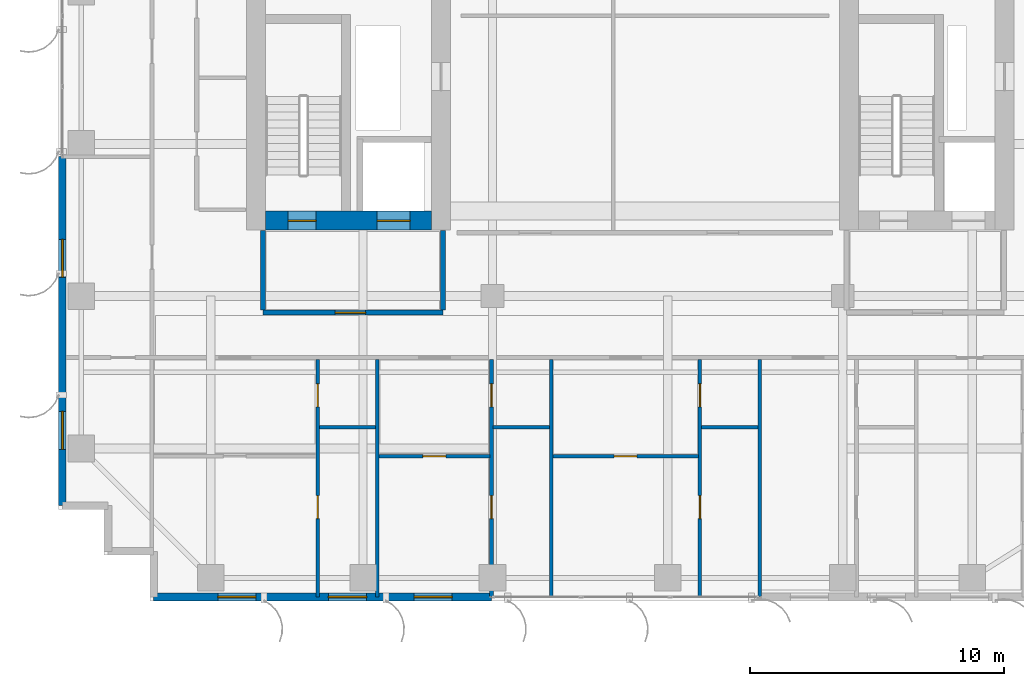
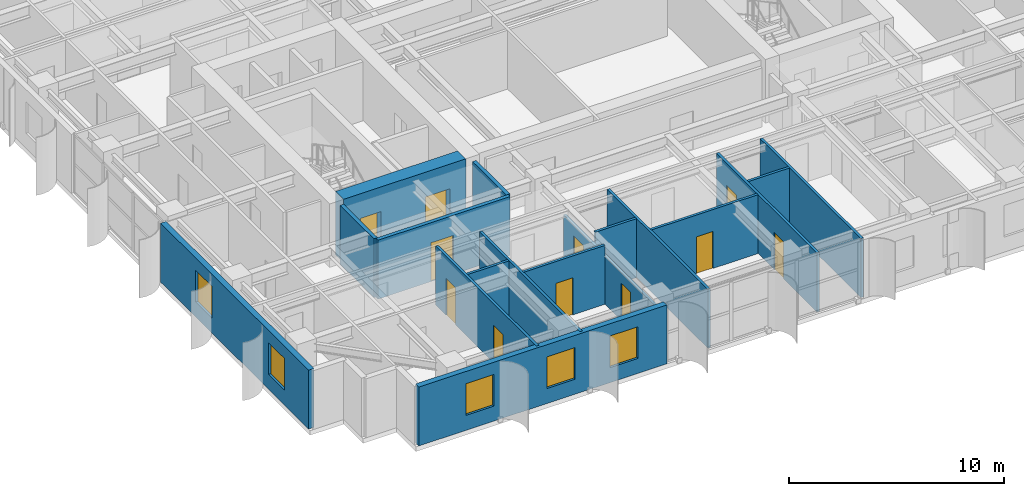
# One storey, part 13 of 22: 17 walls, 11 doors, 5 windows, 16 openings.
"""IFC4 building model written with IfcOpenShell, lengths in metres."""

import ifcopenshell
import ifcopenshell.guid

model = None  # the IFC model being written
_history = None  # IfcOwnerHistory: only IFC2X3 demands one
_inside = {}  # id of a spatial element -> (the spatial element, [elements in it])
_under = {}  # id of a project, library or spatial element -> (it, [spatial elements below it])
_declared = {}  # id of a project -> (the project, [libraries it declares])
_typed = {}  # id of a type object -> (the type object, [elements of that type])
_made_of = {}  # id of a material, layer set ... -> (it, [elements and type objects made of it])


def new_model(schema):
    """Start an empty IFC model of exactly this schema.

    Asked for "IFC4X3", IfcOpenShell would pick the latest addendum, in which some entities
    have other attributes; the version numbers below select the first issue.
    IFC2X3 requires an IfcOwnerHistory on every rooted entity: one is made here for all.
    """
    global model, _history
    if schema == "IFC4X3":
        model = ifcopenshell.file(schema_version=(4, 3, 0, 0))
    else:
        model = ifcopenshell.file(schema=schema)
    _inside.clear()
    _under.clear()
    _declared.clear()
    _typed.clear()
    _made_of.clear()
    _history = None
    if model.schema == "IFC2X3":
        org = make("IfcOrganization", Name="unknown")
        user = make(
            "IfcPersonAndOrganization",
            ThePerson=make("IfcPerson", FamilyName="unknown"),
            TheOrganization=org,
        )
        app = make(
            "IfcApplication",
            ApplicationDeveloper=org,
            Version="unknown",
            ApplicationFullName="unknown",
            ApplicationIdentifier="unknown",
        )
        _history = make(
            "IfcOwnerHistory",
            OwningUser=user,
            OwningApplication=app,
            ChangeAction="ADDED",
            CreationDate=0,
        )
    return model


def make(cls, **values):
    """One entity of the class cls with the attributes given. An attribute that is None is left unset."""
    return model.create_entity(
        cls, **{name: value for name, value in values.items() if value is not None}
    )


def rooted(cls, **values):
    """An entity with a GlobalId (a new one), such as an element, a storey or a relation."""
    return make(cls, GlobalId=ifcopenshell.guid.new(), OwnerHistory=_history, **values)


def si_unit(unit_type, name, prefix=None):
    """IfcSIUnit, for example si_unit("LENGTHUNIT", "METRE", prefix="MILLI")."""
    return make("IfcSIUnit", UnitType=unit_type, Prefix=prefix, Name=name)


def assignment(units):
    """IfcUnitAssignment: the units of a project."""
    return None if units is None else make("IfcUnitAssignment", Units=units)


def point(xyz):
    """IfcCartesianPoint."""
    return None if xyz is None else make("IfcCartesianPoint", Coordinates=xyz)


def direction(xyz):
    """IfcDirection."""
    return None if xyz is None else make("IfcDirection", DirectionRatios=xyz)


def frame(location, z_axis=None, x_axis=None):
    """IfcAxis2Placement3D, a coordinate frame: its origin and axes. An axis left out is left unset."""
    return make(
        "IfcAxis2Placement3D",
        Location=point(location),
        Axis=direction(z_axis),
        RefDirection=direction(x_axis),
    )


def frame_2d(location, x_axis=None):
    """IfcAxis2Placement2D, a coordinate frame in the plane: its origin and x axis."""
    return make(
        "IfcAxis2Placement2D", Location=point(location), RefDirection=direction(x_axis)
    )


def origin():
    """The frame at (0, 0, 0) with its axes left unset."""
    return frame((0.0, 0.0, 0.0))


def place(relative_to, where):
    """IfcLocalPlacement: puts the frame where relative to a parent placement (None: the world)."""
    return make(
        "IfcLocalPlacement", PlacementRelTo=relative_to, RelativePlacement=where
    )


def context(
    kind, dimensions, precision=None, world=None, true_north=None, identifier=None
):
    """IfcGeometricRepresentationContext, for example the 3D "Model" context."""
    return make(
        "IfcGeometricRepresentationContext",
        ContextIdentifier=identifier,
        ContextType=kind,
        CoordinateSpaceDimension=dimensions,
        Precision=precision,
        WorldCoordinateSystem=world,
        TrueNorth=true_north,
    )


def subcontext(parent, identifier, kind, view, scale=None):
    """IfcGeometricRepresentationSubContext, for example "Body" below "Model"."""
    return make(
        "IfcGeometricRepresentationSubContext",
        ContextIdentifier=identifier,
        ContextType=kind,
        ParentContext=parent,
        TargetScale=scale,
        TargetView=view,
    )


def project(units=None, contexts=None):
    """IfcProject with its units and contexts."""
    return rooted(
        "IfcProject",
        Name="project",
        RepresentationContexts=contexts,
        UnitsInContext=assignment(units),
    )


def spatial(cls, under=None, at=None, **own):
    """A site, building, storey or space (cls), placed at a placement, below another one or the project."""
    s = rooted(cls, ObjectPlacement=at, **own)
    if under is not None:
        _under.setdefault(under.id(), (under, []))[1].append(s)
    return s


def profile(cls, at=None, kind="AREA", **sizes):
    """A parametric profile (cls). Its sizes go by their IFC names, for example OverallWidth=200.0."""
    return make(cls, ProfileType=kind, Position=at, **sizes)


def rectangle(**sizes):
    """IfcRectangleProfileDef."""
    return profile("IfcRectangleProfileDef", **sizes)


def extrude(swept, where, along, depth):
    """IfcExtrudedAreaSolid: the profile swept, set in the frame where, extruded along a direction by depth."""
    return make(
        "IfcExtrudedAreaSolid",
        SweptArea=swept,
        Position=where,
        ExtrudedDirection=direction(along),
        Depth=depth,
    )


def shape(context_of_items, identifier, shape_type, items):
    """IfcShapeRepresentation: the items that make up one representation, for example the "Body"."""
    return make(
        "IfcShapeRepresentation",
        ContextOfItems=context_of_items,
        RepresentationIdentifier=identifier,
        RepresentationType=shape_type,
        Items=items,
    )


def source(mapping_origin, context_of_items, identifier, shape_type, items):
    """IfcRepresentationMap: a shape defined once, which mapped items show again and again."""
    return make(
        "IfcRepresentationMap",
        MappingOrigin=mapping_origin,
        MappedRepresentation=shape(context_of_items, identifier, shape_type, items),
    )


def transform(
    local_origin,
    x_axis=None,
    y_axis=None,
    z_axis=None,
    scale=None,
    scale2=None,
    scale3=None,
    uniform=True,
):
    """IfcCartesianTransformationOperator3D, or its non-uniform kind. x_axis, y_axis, z_axis: its Axis1, 2, 3."""
    if uniform:
        return make(
            "IfcCartesianTransformationOperator3D",
            Axis1=direction(x_axis),
            Axis2=direction(y_axis),
            LocalOrigin=point(local_origin),
            Scale=scale,
            Axis3=direction(z_axis),
        )
    return make(
        "IfcCartesianTransformationOperator3DnonUniform",
        Axis1=direction(x_axis),
        Axis2=direction(y_axis),
        LocalOrigin=point(local_origin),
        Scale=scale,
        Axis3=direction(z_axis),
        Scale2=scale2,
        Scale3=scale3,
    )


def mapped(mapping_source, mapping_target):
    """IfcMappedItem: shows the shape of a source again, moved by a transform."""
    return make(
        "IfcMappedItem", MappingSource=mapping_source, MappingTarget=mapping_target
    )


def material(Name=None, Category=None):
    """IfcMaterial."""
    return make("IfcMaterial", Name=Name, Category=Category)


def layer(
    of_material, thickness, ventilated=None, Name=None, Category=None, Priority=None
):
    """IfcMaterialLayer: one layer of a wall or slab, of a material (None: an air gap)."""
    return make(
        "IfcMaterialLayer",
        Material=of_material,
        LayerThickness=thickness,
        IsVentilated=ventilated,
        Name=Name,
        Category=Category,
        Priority=Priority,
    )


def layer_set(layers, Name=None):
    """IfcMaterialLayerSet."""
    return make("IfcMaterialLayerSet", MaterialLayers=layers, LayerSetName=Name)


def made_of(thing, what):
    """Note that an element or type object is made of a material, layer set ...; save() writes the relation."""
    if what is not None:
        _made_of.setdefault(what.id(), (what, []))[1].append(thing)
    return thing


def type_object(cls, material=None, **own):
    """A type object (cls), such as IfcWallType, which elements share."""
    return made_of(rooted(cls, **own), material)


def element(
    cls,
    number,
    at=None,
    inside=None,
    cuts=None,
    type_object=None,
    material=None,
    context=None,
    identifier="Body",
    shape_type=None,
    held_by="IfcProductDefinitionShape",
    body=None,
    shapes=None,
    **own,
):
    """One element of the class cls, such as IfcWall. Its Tag is "e" and its number.

    at: its placement. inside: the storey or other place that contains it. cuts: it is an
    opening in that element (IfcRelVoidsElement). A single representation is given by context,
    identifier, shape_type and body (its items); several are given by shapes. held_by: the class
    of the entity that holds the representations. save() writes the other relations.
    """
    e = rooted(cls, Tag="e%d" % number, ObjectPlacement=at, **own)
    if body is not None:
        shapes = [shape(context, identifier, shape_type, body)]
    if shapes is not None:
        e.Representation = make(held_by, Representations=shapes)
    if inside is not None:
        _inside.setdefault(inside.id(), (inside, []))[1].append(e)
    if cuts is not None:
        rooted(
            "IfcRelVoidsElement", RelatingBuildingElement=cuts, RelatedOpeningElement=e
        )
    if type_object is not None:
        _typed.setdefault(type_object.id(), (type_object, []))[1].append(e)
    return made_of(e, material)


def fill(opening, filler):
    """IfcRelFillsElement: the door or window that sits in an opening."""
    return rooted(
        "IfcRelFillsElement",
        RelatingOpeningElement=opening,
        RelatedBuildingElement=filler,
    )


def aggregate(whole, parts):
    """IfcRelAggregates: a whole, such as a stair, and the parts it consists of."""
    return rooted("IfcRelAggregates", RelatingObject=whole, RelatedObjects=parts)


def save(model, path):
    """Write the relations noted so far, then the file.

    IfcRelAggregates (storeys below a building ...), IfcRelContainedInSpatialStructure (elements
    in a storey), IfcRelDefinesByType, IfcRelAssociatesMaterial and IfcRelDeclares: one each for
    every whole, place, type object, material and project.
    """
    for whole, parts in _under.values():
        aggregate(whole, parts)
    for where, things in _inside.values():
        rooted(
            "IfcRelContainedInSpatialStructure",
            RelatedElements=things,
            RelatingStructure=where,
        )
    for kind, things in _typed.values():
        rooted("IfcRelDefinesByType", RelatedObjects=things, RelatingType=kind)
    for what, things in _made_of.values():
        rooted("IfcRelAssociatesMaterial", RelatedObjects=things, RelatingMaterial=what)
    for by, libraries in _declared.values():
        rooted("IfcRelDeclares", RelatingContext=by, RelatedDefinitions=libraries)
    model.write(path)


model = new_model("IFC4")

# Units and contexts
model_context = context("Model", 3, precision=1e-05, world=origin(), true_north=direction((0.0, 1.0)))
body_context = subcontext(model_context, "Body", "Model", "MODEL_VIEW")
ifc_project = project(units=[si_unit("LENGTHUNIT", "METRE"), si_unit("AREAUNIT", "SQUARE_METRE"), si_unit("VOLUMEUNIT", "CUBIC_METRE"), si_unit("PLANEANGLEUNIT", "RADIAN"), si_unit("MASSUNIT", "GRAM", prefix="KILO")], contexts=[model_context])

# Site, building, storey
site_placement = place(None, origin())
site = spatial("IfcSite", under=ifc_project, at=site_placement, CompositionType="ELEMENT")
building_placement = place(site_placement, origin())
building = spatial("IfcBuilding", under=site, at=building_placement, Name="Khoralis Quay Care Tower", CompositionType="ELEMENT")
storey_placement = place(building_placement, frame((0.0, 0.0, 94.5)))
storey = spatial("IfcBuildingStorey", under=building, at=storey_placement, Name="L24", CompositionType="ELEMENT", Elevation=94.5)

# Wall, opening, door
ifc_material_1 = material(Name="Gypsum plasterboard on acoustic metal stud")
ifc_layer_1 = layer(ifc_material_1, 0.199951171875)
ifc_layer_set_1 = layer_set([ifc_layer_1], Name="Gypsum plasterboard on acoustic metal stud")
wall_type_1 = type_object("IfcWallType", Name="WL-COMP-200", PredefinedType="PARTITIONING", material=ifc_layer_set_1)
wall_1_placement = place(storey_placement, frame((8.050048828125, 11.35009765625, 0.0), z_axis=(0.0, 0.0, 1.0), x_axis=(1.0, 0.0, 0.0)))
wall_1 = element("IfcWall", 1, at=wall_1_placement, inside=storey, type_object=wall_type_1, Name="L24 West Firefighting Lobby South Wall", PredefinedType="PARTITIONING", context=body_context, shape_type="SweptSolid", body=[
    extrude(rectangle(XDim=7.099853515625, YDim=0.199951171875, at=frame_2d((3.5498046875, 0.0))), origin(), (0.0, 0.0, 1.0), 3.340087890625),
])
opening_1_placement = place(wall_1_placement, frame((2.846435546875, 0.0, 0.0)))
opening_1 = element("IfcOpeningElement", 2, at=opening_1_placement, cuts=wall_1, Name="Opening FD1", PredefinedType="OPENING", context=body_context, shape_type="SweptSolid", body=[
    extrude(rectangle(XDim=1.199951171875, YDim=2.199951171875, at=frame_2d((0.60009765625, 1.10009765625))), frame((0.0, 0.10986328125, 0.0), z_axis=(0.0, -1.0, 0.0), x_axis=(1.0, 0.0, 0.0)), (0.0, 0.0, 1.0), 0.219970703125),
])
ifc_material_2 = material(Name="Fire-rated painted steel", Category="steel")
door_type_1 = type_object("IfcDoorType", Name="DR-FFL-1200X2200", OperationType="NOTDEFINED", PredefinedType="DOOR", material=ifc_material_2)
shared_shape_1 = source(origin(), body_context, "Body", "SweptSolid", [
    extrude(rectangle(XDim=1.199951171875, YDim=2.199951171875, at=frame_2d((0.60009765625, 1.10009765625))), frame((0.0, 0.02490234375, 0.0), z_axis=(0.0, -1.0, 0.0), x_axis=(1.0, 0.0, 0.0)), (0.0, 0.0, 1.0), 0.050048828125),
])
door_1_placement = place(opening_1_placement, origin())
door_1 = element("IfcDoor", 3, at=door_1_placement, inside=storey, type_object=door_type_1, Name="L24 West Firefighting Lobby Fire Door", OperationType="SINGLE_SWING_RIGHT", OverallHeight=2.199951171875, OverallWidth=1.199951171875, PredefinedType="DOOR", context=body_context, shape_type="MappedRepresentation", body=[
    mapped(shared_shape_1, transform((0.0, 0.0, 0.0), scale=1.0)),
])
fill(opening_1, door_1)

# Walls
for number, where, z_axis, x_axis, name in (
    (4, (8.050048828125, 11.445068359375, 0.0), (0.0, 0.0, 1.0), (0.0, 1.0, 0.0), "L24 West Firefighting Lobby West Wall"),
    (5, (15.14990234375, 11.445068359375, 0.0), (0.0, 0.0, 1.0), (0.0, 1.0, 0.0), "L24 West Firefighting Lobby East Wall"),
):
    element("IfcWall", number, at=place(storey_placement, frame(where, z_axis=z_axis, x_axis=x_axis)), inside=storey, type_object=wall_type_1, Name=name, PredefinedType="PARTITIONING", context=body_context, shape_type="SweptSolid", body=[
        extrude(rectangle(XDim=3.135009765625, YDim=0.199951171875, at=frame_2d((1.5673828125, 0.0))), origin(), (0.0, 0.0, 1.0), 3.340087890625),
    ])

# Wall, openings, doors
ifc_material_3 = material(Name="Concrete C80/95", Category="concrete")
ifc_layer_2 = layer(ifc_material_3, 0.75)
ifc_layer_set_2 = layer_set([ifc_layer_2], Name="Concrete C80/95")
wall_type_2 = type_object("IfcWallType", Name="WL-CORE-750", PredefinedType="SHEAR", material=ifc_layer_set_2)
wall_2_placement = place(storey_placement, frame((8.14990234375, 14.97509765625, 0.0), z_axis=(0.0, 0.0, 1.0), x_axis=(1.0, 0.0, 0.0)))
wall_2 = element("IfcWall", 6, at=wall_2_placement, inside=storey, type_object=wall_type_2, Name="L24 WCORE South Shear Wall", PredefinedType="SHEAR", context=body_context, shape_type="SweptSolid", body=[
    extrude(rectangle(XDim=6.550048828125, YDim=0.75, at=frame_2d((3.27490234375, 0.0))), origin(), (0.0, 0.0, 1.0), 3.60009765625),
])
opening_2_placement = place(wall_2_placement, frame((0.89990234375, 0.0, 0.0)))
opening_2 = element("IfcOpeningElement", 7, at=opening_2_placement, cuts=wall_2, Name="Opening SD1", PredefinedType="OPENING", context=body_context, shape_type="SweptSolid", body=[
    extrude(rectangle(XDim=1.10009765625, YDim=2.199951171875, at=frame_2d((0.550048828125, 1.10009765625))), frame((0.0, 0.385009765625, 0.0), z_axis=(0.0, -1.0, 0.0), x_axis=(1.0, 0.0, 0.0)), (0.0, 0.0, 1.0), 0.77001953125),
])
opening_3_placement = place(wall_2_placement, frame((4.39990234375, 0.0, 0.0)))
opening_3 = element("IfcOpeningElement", 8, at=opening_3_placement, cuts=wall_2, Name="Opening LD2", PredefinedType="OPENING", context=body_context, shape_type="SweptSolid", body=[
    extrude(rectangle(XDim=1.300048828125, YDim=2.199951171875, at=frame_2d((0.64990234375, 1.10009765625))), frame((0.0, 0.385009765625, 0.0), z_axis=(0.0, -1.0, 0.0), x_axis=(1.0, 0.0, 0.0)), (0.0, 0.0, 1.0), 0.77001953125),
])
door_type_2 = type_object("IfcDoorType", Name="DR-STAIR-1100X2200", OperationType="NOTDEFINED", PredefinedType="DOOR", material=ifc_material_2)
shared_shape_2 = source(origin(), body_context, "Body", "SweptSolid", [
    extrude(rectangle(XDim=1.10009765625, YDim=2.199951171875, at=frame_2d((0.550048828125, 1.10009765625))), frame((0.0, 0.02490234375, 0.0), z_axis=(0.0, -1.0, 0.0), x_axis=(1.0, 0.0, 0.0)), (0.0, 0.0, 1.0), 0.050048828125),
])
door_2_placement = place(opening_2_placement, origin())
door_2 = element("IfcDoor", 9, at=door_2_placement, inside=storey, type_object=door_type_2, Name="L24 Stair ST-T1 Fire Door", OperationType="SINGLE_SWING_RIGHT", OverallHeight=2.199951171875, OverallWidth=1.10009765625, PredefinedType="DOOR", context=body_context, shape_type="MappedRepresentation", body=[
    mapped(shared_shape_2, transform((0.0, 0.0, 0.0), scale=1.0)),
])
fill(opening_2, door_2)
ifc_material_4 = material(Name="Brushed stainless steel", Category="steel")
door_type_3 = type_object("IfcDoorType", Name="DR-LIFT-1300X2200", OperationType="SLIDING_TO_RIGHT", PredefinedType="DOOR", material=ifc_material_4)
shared_shape_3 = source(origin(), body_context, "Body", "SweptSolid", [
    extrude(rectangle(XDim=1.300048828125, YDim=2.199951171875, at=frame_2d((0.64990234375, 1.10009765625))), frame((0.0, 0.02490234375, 0.0), z_axis=(0.0, -1.0, 0.0), x_axis=(1.0, 0.0, 0.0)), (0.0, 0.0, 1.0), 0.050048828125),
])
door_3_placement = place(opening_3_placement, origin())
door_3 = element("IfcDoor", 10, at=door_3_placement, inside=storey, type_object=door_type_3, Name="L24 Firefighting Lift FFL-1 Landing Door", OperationType="SLIDING_TO_RIGHT", OverallHeight=2.199951171875, OverallWidth=1.300048828125, PredefinedType="DOOR", context=body_context, shape_type="MappedRepresentation", body=[
    mapped(shared_shape_3, transform((0.0, 0.0, 0.0), scale=1.0)),
])
fill(opening_3, door_3)

# Wall, openings, windows
ifc_material_5 = material(Name="Precast concrete C45/55", Category="concrete")
ifc_layer_3 = layer(ifc_material_5, 0.300048828125)
ifc_layer_set_3 = layer_set([ifc_layer_3], Name="Precast concrete C45/55")
wall_type_3 = type_object("IfcWallType", Name="WL-EXT-REF-300", PredefinedType="SOLIDWALL", material=ifc_layer_set_3)
wall_3_placement = place(storey_placement, frame((3.75, 0.14990234375, 0.0), z_axis=(0.0, 0.0, 1.0), x_axis=(1.0, 0.0, 0.0)))
wall_3 = element("IfcWall", 11, at=wall_3_placement, inside=storey, type_object=wall_type_3, Name="L24 External Facade Wall WL-EXT-L24-P1-E0A", PredefinedType="SOLIDWALL", context=body_context, shape_type="SweptSolid", body=[
    extrude(rectangle(XDim=13.31005859375, YDim=0.300048828125, at=frame_2d((6.655029296875, 0.0))), origin(), (0.0, 0.0, 1.0), 3.340087890625),
])
opening_4_placement = place(wall_3_placement, frame((2.530029296875, 0.0, 0.85009765625)))
opening_4 = element("IfcOpeningElement", 12, at=opening_4_placement, cuts=wall_3, Name="Opening W3", PredefinedType="OPENING", context=body_context, shape_type="SweptSolid", body=[
    extrude(rectangle(XDim=1.5, YDim=1.800048828125, at=frame_2d((0.75, 0.89990234375))), frame((0.0, 0.16015625, 0.0), z_axis=(0.0, -1.0, 0.0), x_axis=(1.0, 0.0, 0.0)), (0.0, 0.0, 1.0), 0.320068359375),
])
opening_5_placement = place(wall_3_placement, frame((6.885009765625, 0.0, 0.85009765625)))
opening_5 = element("IfcOpeningElement", 13, at=opening_5_placement, cuts=wall_3, Name="Opening W3", PredefinedType="OPENING", context=body_context, shape_type="SweptSolid", body=[
    extrude(rectangle(XDim=1.5, YDim=1.800048828125, at=frame_2d((0.75, 0.89990234375))), frame((0.0, 0.16015625, 0.0), z_axis=(0.0, -1.0, 0.0), x_axis=(1.0, 0.0, 0.0)), (0.0, 0.0, 1.0), 0.320068359375),
])
opening_6_placement = place(wall_3_placement, frame((10.260009765625, 0.0, 0.85009765625)))
opening_6 = element("IfcOpeningElement", 14, at=opening_6_placement, cuts=wall_3, Name="Opening W3", PredefinedType="OPENING", context=body_context, shape_type="SweptSolid", body=[
    extrude(rectangle(XDim=1.5, YDim=1.800048828125, at=frame_2d((0.75, 0.89990234375))), frame((0.0, 0.16015625, 0.0), z_axis=(0.0, -1.0, 0.0), x_axis=(1.0, 0.0, 0.0)), (0.0, 0.0, 1.0), 0.320068359375),
])
ifc_material_6 = material(Name="Low-E solar-control double glazing", Category="glass")
window_type = type_object("IfcWindowType", Name="WN-CLIN-1500X1800", PartitioningType="SINGLE_PANEL", PredefinedType="WINDOW", material=ifc_material_6)
shared_shape_4 = source(origin(), body_context, "Body", "SweptSolid", [
    extrude(rectangle(XDim=1.5, YDim=1.800048828125, at=frame_2d((0.75, 0.89990234375))), frame((0.0, 0.030029296875, 0.0), z_axis=(0.0, -1.0, 0.0), x_axis=(1.0, 0.0, 0.0)), (0.0, 0.0, 1.0), 0.06005859375),
])
window_1_placement = place(opening_4_placement, origin())
window_1 = element("IfcWindow", 15, at=window_1_placement, inside=storey, type_object=window_type, Name="WN-L24-P1-E0A Facade Window 01", OverallHeight=1.800048828125, OverallWidth=1.5, PartitioningType="SINGLE_PANEL", PredefinedType="WINDOW", context=body_context, shape_type="MappedRepresentation", body=[
    mapped(shared_shape_4, transform((0.0, 0.0, 0.0), scale=1.0)),
])
fill(opening_4, window_1)
window_2_placement = place(opening_5_placement, origin())
window_2 = element("IfcWindow", 16, at=window_2_placement, inside=storey, type_object=window_type, Name="WN-L24-P1-E0A Facade Window 02", OverallHeight=1.800048828125, OverallWidth=1.5, PartitioningType="SINGLE_PANEL", PredefinedType="WINDOW", context=body_context, shape_type="MappedRepresentation", body=[
    mapped(shared_shape_4, transform((0.0, 0.0, 0.0), scale=1.0)),
])
fill(opening_5, window_2)
window_3_placement = place(opening_6_placement, origin())
window_3 = element("IfcWindow", 17, at=window_3_placement, inside=storey, type_object=window_type, Name="WN-L24-P1-E0A Facade Window 03", OverallHeight=1.800048828125, OverallWidth=1.5, PartitioningType="SINGLE_PANEL", PredefinedType="WINDOW", context=body_context, shape_type="MappedRepresentation", body=[
    mapped(shared_shape_4, transform((0.0, 0.0, 0.0), scale=1.0)),
])
fill(opening_6, window_3)

wall_4_placement = place(storey_placement, frame((0.14990234375, 17.5, 0.0), z_axis=(0.0, 0.0, 1.0), x_axis=(0.0, -1.0, 0.0)))
wall_4 = element("IfcWall", 18, at=wall_4_placement, inside=storey, type_object=wall_type_3, Name="L24 External Facade Wall WL-EXT-L24-P1-E15B", PredefinedType="SOLIDWALL", context=body_context, shape_type="SweptSolid", body=[
    extrude(rectangle(XDim=13.75, YDim=0.300048828125, at=frame_2d((6.875, 0.0))), origin(), (0.0, 0.0, 1.0), 3.340087890625),
])
opening_7_placement = place(wall_4_placement, frame((3.260009765625, 0.0, 0.85009765625)))
opening_7 = element("IfcOpeningElement", 19, at=opening_7_placement, cuts=wall_4, Name="Opening W3", PredefinedType="OPENING", context=body_context, shape_type="SweptSolid", body=[
    extrude(rectangle(XDim=1.5, YDim=1.800048828125, at=frame_2d((0.75, 0.89990234375))), frame((0.0, 0.16015625, 0.0), z_axis=(0.0, -1.0, 0.0), x_axis=(1.0, 0.0, 0.0)), (0.0, 0.0, 1.0), 0.320068359375),
])
opening_8_placement = place(wall_4_placement, frame((10.034912109375, 0.0, 0.85009765625)))
opening_8 = element("IfcOpeningElement", 20, at=opening_8_placement, cuts=wall_4, Name="Opening W3", PredefinedType="OPENING", context=body_context, shape_type="SweptSolid", body=[
    extrude(rectangle(XDim=1.5, YDim=1.800048828125, at=frame_2d((0.75, 0.89990234375))), frame((0.0, 0.16015625, 0.0), z_axis=(0.0, -1.0, 0.0), x_axis=(1.0, 0.0, 0.0)), (0.0, 0.0, 1.0), 0.320068359375),
])
window_4_placement = place(opening_7_placement, origin())
window_4 = element("IfcWindow", 21, at=window_4_placement, inside=storey, type_object=window_type, Name="WN-L24-P1-E15B Facade Window 01", OverallHeight=1.800048828125, OverallWidth=1.5, PartitioningType="SINGLE_PANEL", PredefinedType="WINDOW", context=body_context, shape_type="MappedRepresentation", body=[
    mapped(shared_shape_4, transform((0.0, 0.0, 0.0), scale=1.0)),
])
fill(opening_7, window_4)
window_5_placement = place(opening_8_placement, origin())
window_5 = element("IfcWindow", 22, at=window_5_placement, inside=storey, type_object=window_type, Name="WN-L24-P1-E15B Facade Window 02", OverallHeight=1.800048828125, OverallWidth=1.5, PartitioningType="SINGLE_PANEL", PredefinedType="WINDOW", context=body_context, shape_type="MappedRepresentation", body=[
    mapped(shared_shape_4, transform((0.0, 0.0, 0.0), scale=1.0)),
])
fill(opening_8, window_5)

# Wall, openings, doors
ifc_material_7 = material(Name="Moisture-resistant gypsum and ceramic tile")
ifc_layer_4 = layer(ifc_material_7, 0.280029296875)
ifc_layer_set_4 = layer_set([ifc_layer_4], Name="Moisture-resistant gypsum and ceramic tile")
wall_type_4 = type_object("IfcWallType", Name="WL-PLUMB-280", PredefinedType="PLUMBINGWALL", material=ifc_layer_set_4)
wall_5_placement = place(storey_placement, frame((10.2099609375, 0.14501953125, 0.0), z_axis=(0.0, 0.0, 1.0), x_axis=(0.0, 1.0, 0.0)))
wall_5 = element("IfcWall", 23, at=wall_5_placement, inside=storey, type_object=wall_type_4, Name="L24 Care Suite 0 En-Suite Wall V", PredefinedType="PLUMBINGWALL", context=body_context, shape_type="SweptSolid", body=[
    extrude(rectangle(XDim=9.357421875, YDim=0.139892578125, at=frame_2d((4.6787109375, 0.0))), origin(), (0.0, 0.0, 1.0), 3.340087890625),
])
opening_9_placement = place(wall_5_placement, frame((7.4951171875, 0.0, 0.0)))
opening_9 = element("IfcOpeningElement", 24, at=opening_9_placement, cuts=wall_5, Name="Opening WD1", PredefinedType="OPENING", context=body_context, shape_type="SweptSolid", body=[
    extrude(rectangle(XDim=0.89990234375, YDim=2.10009765625, at=frame_2d((0.449951171875, 1.050048828125))), frame((0.0, 0.080078125, 0.0), z_axis=(0.0, -1.0, 0.0), x_axis=(1.0, 0.0, 0.0)), (0.0, 0.0, 1.0), 0.159912109375),
])
opening_10_placement = place(wall_5_placement, frame((3.094970703125, 0.0, 0.0)))
opening_10 = element("IfcOpeningElement", 25, at=opening_10_placement, cuts=wall_5, Name="Opening WD1", PredefinedType="OPENING", context=body_context, shape_type="SweptSolid", body=[
    extrude(rectangle(XDim=0.89990234375, YDim=2.10009765625, at=frame_2d((0.449951171875, 1.050048828125))), frame((0.0, 0.080078125, 0.0), z_axis=(0.0, -1.0, 0.0), x_axis=(1.0, 0.0, 0.0)), (0.0, 0.0, 1.0), 0.159912109375),
])
ifc_material_8 = material(Name="Acoustic hardwood timber", Category="wood")
door_type_4 = type_object("IfcDoorType", Name="DR-BATH-900X2100", OperationType="NOTDEFINED", PredefinedType="DOOR", material=ifc_material_8)
shared_shape_5 = source(origin(), body_context, "Body", "SweptSolid", [
    extrude(rectangle(XDim=0.89990234375, YDim=2.10009765625, at=frame_2d((0.449951171875, 1.050048828125))), frame((0.0, 0.02490234375, 0.0), z_axis=(0.0, -1.0, 0.0), x_axis=(1.0, 0.0, 0.0)), (0.0, 0.0, 1.0), 0.050048828125),
])
door_4_placement = place(opening_9_placement, frame((0.89990234375, 0.0, 0.0), z_axis=(0.0, 0.0, 1.0), x_axis=(-1.0, 0.0, 0.0)))
door_4 = element("IfcDoor", 26, at=door_4_placement, inside=storey, type_object=door_type_4, Name="L24 Care CENS Door", OperationType="SINGLE_SWING_LEFT", OverallHeight=2.10009765625, OverallWidth=0.89990234375, PredefinedType="DOOR", context=body_context, shape_type="MappedRepresentation", body=[
    mapped(shared_shape_5, transform((0.0, 0.0, 0.0), scale=1.0)),
])
fill(opening_9, door_4)
door_5_placement = place(opening_10_placement, frame((0.89990234375, 0.0, 0.0), z_axis=(0.0, 0.0, 1.0), x_axis=(-1.0, 0.0, 0.0)))
door_5 = element("IfcDoor", 27, at=door_5_placement, inside=storey, type_object=door_type_4, Name="L24 Care CSIT Door", OperationType="SINGLE_SWING_RIGHT", OverallHeight=2.10009765625, OverallWidth=0.89990234375, PredefinedType="DOOR", context=body_context, shape_type="MappedRepresentation", body=[
    mapped(shared_shape_5, transform((0.0, 0.0, 0.0), scale=1.0)),
])
fill(opening_10, door_5)

# Wall
wall_6_placement = place(storey_placement, frame((10.27490234375, 6.830078125, 0.0), z_axis=(0.0, 0.0, 1.0), x_axis=(1.0, 0.0, 0.0)))
element("IfcWall", 28, at=wall_6_placement, inside=storey, type_object=wall_type_4, Name="L24 Care Suite 0 En-Suite Wall H", PredefinedType="PLUMBINGWALL", context=body_context, shape_type="SweptSolid", body=[
    extrude(rectangle(XDim=2.22021484375, YDim=0.139892578125, at=frame_2d((1.110107421875, 0.0))), origin(), (0.0, 0.0, 1.0), 3.340087890625),
])

# Wall, openings, doors
wall_7_placement = place(storey_placement, frame((17.06005859375, 0.14501953125, 0.0), z_axis=(0.0, 0.0, 1.0), x_axis=(0.0, 1.0, 0.0)))
wall_7 = element("IfcWall", 29, at=wall_7_placement, inside=storey, type_object=wall_type_4, Name="L24 Care Suite 1 En-Suite Wall V", PredefinedType="PLUMBINGWALL", context=body_context, shape_type="SweptSolid", body=[
    extrude(rectangle(XDim=9.357421875, YDim=0.139892578125, at=frame_2d((4.6787109375, 0.0))), origin(), (0.0, 0.0, 1.0), 2.72412109375),
])
opening_11_placement = place(wall_7_placement, frame((7.4951171875, 0.0, 0.0)))
opening_11 = element("IfcOpeningElement", 30, at=opening_11_placement, cuts=wall_7, Name="Opening WD1", PredefinedType="OPENING", context=body_context, shape_type="SweptSolid", body=[
    extrude(rectangle(XDim=0.89990234375, YDim=2.10009765625, at=frame_2d((0.449951171875, 1.050048828125))), frame((0.0, 0.080078125, 0.0), z_axis=(0.0, -1.0, 0.0), x_axis=(1.0, 0.0, 0.0)), (0.0, 0.0, 1.0), 0.159912109375),
])
opening_12_placement = place(wall_7_placement, frame((3.094970703125, 0.0, 0.0)))
opening_12 = element("IfcOpeningElement", 31, at=opening_12_placement, cuts=wall_7, Name="Opening WD1", PredefinedType="OPENING", context=body_context, shape_type="SweptSolid", body=[
    extrude(rectangle(XDim=0.89990234375, YDim=2.10009765625, at=frame_2d((0.449951171875, 1.050048828125))), frame((0.0, 0.080078125, 0.0), z_axis=(0.0, -1.0, 0.0), x_axis=(1.0, 0.0, 0.0)), (0.0, 0.0, 1.0), 0.159912109375),
])
door_6_placement = place(opening_11_placement, frame((0.89990234375, 0.0, 0.0), z_axis=(0.0, 0.0, 1.0), x_axis=(-1.0, 0.0, 0.0)))
door_6 = element("IfcDoor", 32, at=door_6_placement, inside=storey, type_object=door_type_4, Name="L24 Care CENS Door", OperationType="SINGLE_SWING_RIGHT", OverallHeight=2.10009765625, OverallWidth=0.89990234375, PredefinedType="DOOR", context=body_context, shape_type="MappedRepresentation", body=[
    mapped(shared_shape_5, transform((0.0, 0.0, 0.0), scale=1.0)),
])
fill(opening_11, door_6)
door_7_placement = place(opening_12_placement, frame((0.89990234375, 0.0, 0.0), z_axis=(0.0, 0.0, 1.0), x_axis=(-1.0, 0.0, 0.0)))
door_7 = element("IfcDoor", 33, at=door_7_placement, inside=storey, type_object=door_type_4, Name="L24 Care CSIT Door", OperationType="SINGLE_SWING_LEFT", OverallHeight=2.10009765625, OverallWidth=0.89990234375, PredefinedType="DOOR", context=body_context, shape_type="MappedRepresentation", body=[
    mapped(shared_shape_5, transform((0.0, 0.0, 0.0), scale=1.0)),
])
fill(opening_12, door_7)

# Wall
wall_8_placement = place(storey_placement, frame((17.125, 6.830078125, 0.0), z_axis=(0.0, 0.0, 1.0), x_axis=(1.0, 0.0, 0.0)))
element("IfcWall", 34, at=wall_8_placement, inside=storey, type_object=wall_type_4, Name="L24 Care Suite 1 En-Suite Wall H", PredefinedType="PLUMBINGWALL", context=body_context, shape_type="SweptSolid", body=[
    extrude(rectangle(XDim=2.219970703125, YDim=0.139892578125, at=frame_2d((1.10986328125, 0.0))), origin(), (0.0, 0.0, 1.0), 3.340087890625),
])

# Wall, openings, doors
wall_9_placement = place(storey_placement, frame((25.27001953125, 0.14501953125, 0.0), z_axis=(0.0, 0.0, 1.0), x_axis=(0.0, 1.0, 0.0)))
wall_9 = element("IfcWall", 35, at=wall_9_placement, inside=storey, type_object=wall_type_4, Name="L24 Care Suite 2 En-Suite Wall V", PredefinedType="PLUMBINGWALL", context=body_context, shape_type="SweptSolid", body=[
    extrude(rectangle(XDim=9.357421875, YDim=0.139892578125, at=frame_2d((4.6787109375, 0.0))), origin(), (0.0, 0.0, 1.0), 3.340087890625),
])
opening_13_placement = place(wall_9_placement, frame((7.4951171875, 0.0, 0.0)))
opening_13 = element("IfcOpeningElement", 36, at=opening_13_placement, cuts=wall_9, Name="Opening WD1", PredefinedType="OPENING", context=body_context, shape_type="SweptSolid", body=[
    extrude(rectangle(XDim=0.89990234375, YDim=2.10009765625, at=frame_2d((0.449951171875, 1.050048828125))), frame((0.0, 0.080078125, 0.0), z_axis=(0.0, -1.0, 0.0), x_axis=(1.0, 0.0, 0.0)), (0.0, 0.0, 1.0), 0.159912109375),
])
opening_14_placement = place(wall_9_placement, frame((3.094970703125, 0.0, 0.0)))
opening_14 = element("IfcOpeningElement", 37, at=opening_14_placement, cuts=wall_9, Name="Opening WD1", PredefinedType="OPENING", context=body_context, shape_type="SweptSolid", body=[
    extrude(rectangle(XDim=0.89990234375, YDim=2.10009765625, at=frame_2d((0.449951171875, 1.050048828125))), frame((0.0, 0.080078125, 0.0), z_axis=(0.0, -1.0, 0.0), x_axis=(1.0, 0.0, 0.0)), (0.0, 0.0, 1.0), 0.159912109375),
])
door_8_placement = place(opening_13_placement, frame((0.89990234375, 0.0, 0.0), z_axis=(0.0, 0.0, 1.0), x_axis=(-1.0, 0.0, 0.0)))
door_8 = element("IfcDoor", 38, at=door_8_placement, inside=storey, type_object=door_type_4, Name="L24 Care CENS Door", OperationType="SINGLE_SWING_LEFT", OverallHeight=2.10009765625, OverallWidth=0.89990234375, PredefinedType="DOOR", context=body_context, shape_type="MappedRepresentation", body=[
    mapped(shared_shape_5, transform((0.0, 0.0, 0.0), scale=1.0)),
])
fill(opening_13, door_8)
door_9_placement = place(opening_14_placement, frame((0.89990234375, 0.0, 0.0), z_axis=(0.0, 0.0, 1.0), x_axis=(-1.0, 0.0, 0.0)))
door_9 = element("IfcDoor", 39, at=door_9_placement, inside=storey, type_object=door_type_4, Name="L24 Care CSIT Door", OperationType="SINGLE_SWING_RIGHT", OverallHeight=2.10009765625, OverallWidth=0.89990234375, PredefinedType="DOOR", context=body_context, shape_type="MappedRepresentation", body=[
    mapped(shared_shape_5, transform((0.0, 0.0, 0.0), scale=1.0)),
])
fill(opening_14, door_9)

# Walls
wall_10_placement = place(storey_placement, frame((25.3349609375, 6.830078125, 0.0), z_axis=(0.0, 0.0, 1.0), x_axis=(1.0, 0.0, 0.0)))
element("IfcWall", 40, at=wall_10_placement, inside=storey, type_object=wall_type_4, Name="L24 Care Suite 2 En-Suite Wall H", PredefinedType="PLUMBINGWALL", context=body_context, shape_type="SweptSolid", body=[
    extrude(rectangle(XDim=2.219970703125, YDim=0.139892578125, at=frame_2d((1.10986328125, 0.0))), origin(), (0.0, 0.0, 1.0), 3.340087890625),
])
ifc_layer_5 = layer(ifc_material_1, 0.139892578125)
ifc_layer_set_5 = layer_set([ifc_layer_5], Name="Gypsum plasterboard on acoustic metal stud")
wall_type_5 = type_object("IfcWallType", Name="WL-UNIT-140", PredefinedType="PARTITIONING", material=ifc_layer_set_5)
for number, where, z_axis, x_axis, name in (
    (41, (12.56005859375, 0.14501953125, 0.0), (0.0, 0.0, 1.0), (0.0, 1.0, 0.0), "L24 SB Demising Wall 1"),
    (42, (19.409912109375, 0.14501953125, 0.0), (0.0, 0.0, 1.0), (0.0, 1.0, 0.0), "L24 SB Demising Wall 2"),
    (43, (27.6201171875, 0.14501953125, 0.0), (0.0, 0.0, 1.0), (0.0, 1.0, 0.0), "L24 SB Demising Wall 3"),
):
    element("IfcWall", number, at=place(storey_placement, frame(where, z_axis=z_axis, x_axis=x_axis)), inside=storey, type_object=wall_type_5, Name=name, PredefinedType="PARTITIONING", context=body_context, shape_type="SweptSolid", body=[
        extrude(rectangle(XDim=9.357421875, YDim=0.139892578125, at=frame_2d((4.6787109375, 0.0))), origin(), (0.0, 0.0, 1.0), 3.340087890625),
    ])

# Wall, opening, door
wall_11_placement = place(storey_placement, frame((12.625, 5.68994140625, 0.0), z_axis=(0.0, 0.0, 1.0), x_axis=(1.0, 0.0, 0.0)))
wall_11 = element("IfcWall", 44, at=wall_11_placement, inside=storey, type_object=wall_type_5, Name="Skilled Care Bedroom L24-SB1 Sub-Partition", PredefinedType="PARTITIONING", context=body_context, shape_type="SweptSolid", body=[
    extrude(rectangle(XDim=4.3701171875, YDim=0.139892578125, at=frame_2d((2.18505859375, 0.0))), origin(), (0.0, 0.0, 1.0), 3.340087890625),
])
opening_15_placement = place(wall_11_placement, frame((1.735107421875, 0.0, 0.0)))
opening_15 = element("IfcOpeningElement", 45, at=opening_15_placement, cuts=wall_11, Name="Opening WD1", PredefinedType="OPENING", context=body_context, shape_type="SweptSolid", body=[
    extrude(rectangle(XDim=0.89990234375, YDim=2.10009765625, at=frame_2d((0.449951171875, 1.050048828125))), frame((0.0, 0.080078125, 0.0), z_axis=(0.0, -1.0, 0.0), x_axis=(1.0, 0.0, 0.0)), (0.0, 0.0, 1.0), 0.159912109375),
])
door_10_placement = place(opening_15_placement, origin())
door_10 = element("IfcDoor", 46, at=door_10_placement, inside=storey, type_object=door_type_4, Name="Private Study & Reading Alcove ARE1 Door", OperationType="SINGLE_SWING_LEFT", OverallHeight=2.10009765625, OverallWidth=0.89990234375, PredefinedType="DOOR", context=body_context, shape_type="MappedRepresentation", body=[
    mapped(shared_shape_5, transform((0.0, 0.0, 0.0), scale=1.0)),
])
fill(opening_15, door_10)

wall_12_placement = place(storey_placement, frame((19.47509765625, 5.68994140625, 0.0), z_axis=(0.0, 0.0, 1.0), x_axis=(1.0, 0.0, 0.0)))
wall_12 = element("IfcWall", 47, at=wall_12_placement, inside=storey, type_object=wall_type_5, Name="Skilled Care Bedroom L24-SB2 Sub-Partition", PredefinedType="PARTITIONING", context=body_context, shape_type="SweptSolid", body=[
    extrude(rectangle(XDim=5.72998046875, YDim=0.139892578125, at=frame_2d((2.864990234375, 0.0))), origin(), (0.0, 0.0, 1.0), 3.340087890625),
])
opening_16_placement = place(wall_12_placement, frame((2.4150390625, 0.0, 0.0)))
opening_16 = element("IfcOpeningElement", 48, at=opening_16_placement, cuts=wall_12, Name="Opening WD1", PredefinedType="OPENING", context=body_context, shape_type="SweptSolid", body=[
    extrude(rectangle(XDim=0.89990234375, YDim=2.10009765625, at=frame_2d((0.449951171875, 1.050048828125))), frame((0.0, 0.080078125, 0.0), z_axis=(0.0, -1.0, 0.0), x_axis=(1.0, 0.0, 0.0)), (0.0, 0.0, 1.0), 0.159912109375),
])
door_11_placement = place(opening_16_placement, origin())
door_11 = element("IfcDoor", 49, at=door_11_placement, inside=storey, type_object=door_type_4, Name="Private Study & Reading Alcove ARE2 Door", OperationType="SINGLE_SWING_LEFT", OverallHeight=2.10009765625, OverallWidth=0.89990234375, PredefinedType="DOOR", context=body_context, shape_type="MappedRepresentation", body=[
    mapped(shared_shape_5, transform((0.0, 0.0, 0.0), scale=1.0)),
])
fill(opening_16, door_11)

save(model, "model.ifc")
